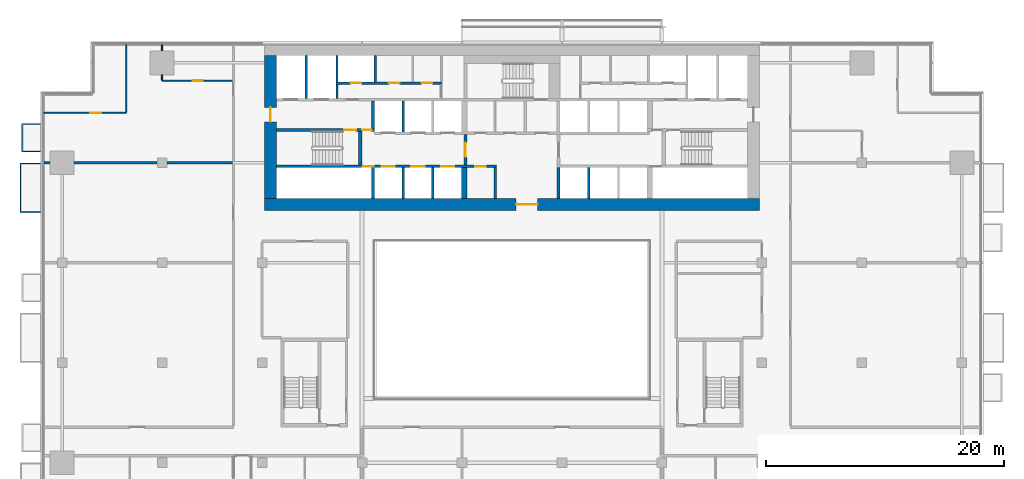
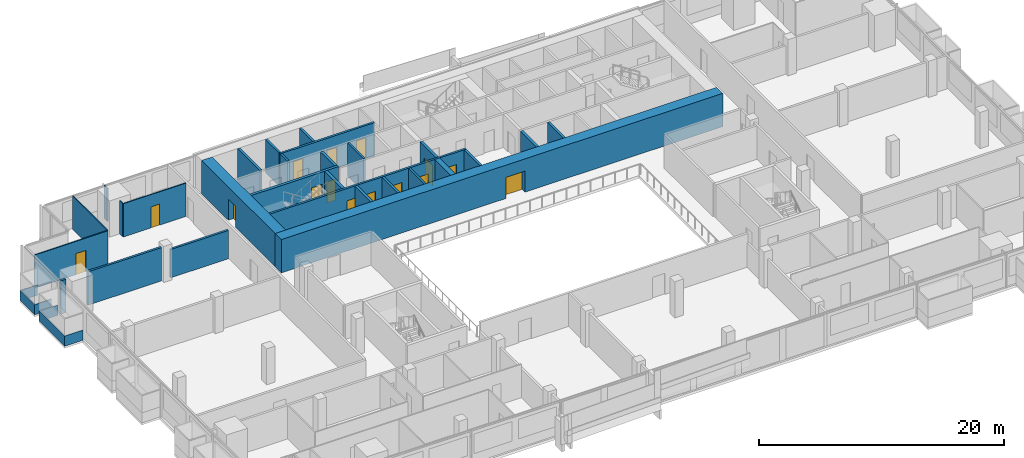
# One storey, part 20 of 26: 30 walls, 15 doors, 15 openings.
"""IFC4 building model written with IfcOpenShell, lengths in metres."""

from ifc_helpers import new_model, si_unit, direction, frame, frame_2d, origin, place, context, subcontext, project, spatial, polyline, rectangle, outline, extrude, material, layer, layer_set, type_object, element, fill, save


model = new_model("IFC4")

# Units and contexts
model_context = context("Model", 3, precision=1e-05, world=origin(), true_north=direction((0.0, 1.0)))
body_context = subcontext(model_context, "Body", "Model", "MODEL_VIEW")
ifc_project = project(units=[si_unit("LENGTHUNIT", "METRE"), si_unit("AREAUNIT", "SQUARE_METRE"), si_unit("VOLUMEUNIT", "CUBIC_METRE"), si_unit("PLANEANGLEUNIT", "RADIAN"), si_unit("MASSUNIT", "GRAM", prefix="KILO")], contexts=[model_context])

# Site, building, storey
site_placement = place(None, origin())
site = spatial("IfcSite", under=ifc_project, at=site_placement, CompositionType="ELEMENT")
building_placement = place(site_placement, origin())
building = spatial("IfcBuilding", under=site, at=building_placement, Name="Saffron Gate Tower", CompositionType="ELEMENT")
storey_placement = place(building_placement, frame((0.0, 0.0, 98.85009765625)))
storey = spatial("IfcBuildingStorey", under=building, at=storey_placement, Name="L22", CompositionType="ELEMENT", Elevation=98.85009765625)

# Wall
ifc_material_1 = material(Name="Gypsum board partition on steel studs", Category="steel")
ifc_layer_1 = layer(ifc_material_1, 0.199951171875)
ifc_layer_set_1 = layer_set([ifc_layer_1], Name="CW10 Core partition 200")
wall_type_1 = type_object("IfcWallType", Name="CW10 Core partition 200", PredefinedType="PARTITIONING", material=ifc_layer_set_1)
wall_1_placement = place(storey_placement, frame((86.199951171875, 62.39990234375, 0.0), z_axis=(0.0, 0.0, 1.0), x_axis=(0.0, 1.0, 0.0)))
element("IfcWall", 1, at=wall_1_placement, inside=storey, type_object=wall_type_1, Name="Wall CW10-L22-9", PredefinedType="PARTITIONING", context=body_context, shape_type="SweptSolid", body=[
    extrude(rectangle(XDim=2.60009765625, YDim=0.199951171875, at=frame_2d((1.300048828125, 0.0))), origin(), (0.0, 0.0, 1.0), 3.31982421875),
])

# Wall, opening, door
ifc_material_2 = material(Name="Concrete C70", Category="concrete")
ifc_layer_2 = layer(ifc_material_2, 1.0)
ifc_layer_set_2 = layer_set([ifc_layer_2], Name="CW12 RC core wall 1000 C70")
wall_type_2 = type_object("IfcWallType", Name="CW12 RC core wall 1000 C70", PredefinedType="SOLIDWALL", material=ifc_layer_set_2)
wall_2_placement = place(storey_placement, frame((66.800048828125, 61.89990234375, 0.0), z_axis=(0.0, 0.0, 1.0), x_axis=(1.0, 0.0, 0.0)))
wall_2 = element("IfcWall", 2, at=wall_2_placement, inside=storey, type_object=wall_type_2, Name="Wall CW12-L22-1", PredefinedType="SOLIDWALL", context=body_context, shape_type="SweptSolid", body=[
    extrude(rectangle(XDim=41.599853515625, YDim=1.0, at=frame_2d((20.7998046875, 0.0))), origin(), (0.0, 0.0, 1.0), 3.31982421875),
])
opening_1_placement = place(wall_2_placement, frame((21.14990234375, 0.0, 0.0)))
opening_1 = element("IfcOpeningElement", 3, at=opening_1_placement, cuts=wall_2, Name="Opening CR-09", PredefinedType="OPENING", context=body_context, shape_type="SweptSolid", body=[
    extrude(rectangle(XDim=1.800048828125, YDim=2.10009765625, at=frame_2d((0.89990234375, 1.050048828125))), frame((0.0, 0.510009765625, 0.0), z_axis=(0.0, -1.0, 0.0), x_axis=(1.0, 0.0, 0.0)), (0.0, 0.0, 1.0), 1.02001953125),
])
ifc_material_3 = material(Name="Steel fire door set", Category="steel")
door_type_1 = type_object("IfcDoorType", Name="CD1 Core entrance door 1800x2100 EI 120", OperationType="NOTDEFINED", PredefinedType="DOOR", material=ifc_material_3)
door_1_placement = place(opening_1_placement, origin())
door_1 = element("IfcDoor", 4, at=door_1_placement, inside=storey, type_object=door_type_1, Name="DOOR CR-09", OperationType="DOUBLE_DOOR_SINGLE_SWING", OverallHeight=2.10009765625, OverallWidth=1.800048828125, PredefinedType="DOOR", context=body_context, shape_type="SweptSolid", body=[
    extrude(rectangle(XDim=1.800048828125, YDim=2.10009765625, at=frame_2d((0.89990234375, 1.050048828125))), frame((0.0, 0.02490234375, 0.0), z_axis=(0.0, -1.0, 0.0), x_axis=(1.0, 0.0, 0.0)), (0.0, 0.0, 1.0), 0.050048828125),
])
fill(opening_1, door_1)

wall_3_placement = place(storey_placement, frame((67.300048828125, 62.39990234375, 0.0), z_axis=(0.0, 0.0, 1.0), x_axis=(0.0, 1.0, 0.0)))
wall_3 = element("IfcWall", 5, at=wall_3_placement, inside=storey, type_object=wall_type_2, Name="Wall CW12-L22-3", PredefinedType="SOLIDWALL", context=body_context, shape_type="SweptSolid", body=[
    extrude(rectangle(XDim=12.0, YDim=1.0, at=frame_2d((6.0, 0.0))), origin(), (0.0, 0.0, 1.0), 3.31982421875),
])
opening_2_placement = place(wall_3_placement, frame((6.449951171875, 0.0, 0.0)))
opening_2 = element("IfcOpeningElement", 6, at=opening_2_placement, cuts=wall_3, Name="Opening CR-10", PredefinedType="OPENING", context=body_context, shape_type="SweptSolid", body=[
    extrude(rectangle(XDim=1.199951171875, YDim=2.10009765625, at=frame_2d((0.60009765625, 1.050048828125))), frame((0.0, 0.510009765625, 0.0), z_axis=(0.0, -1.0, 0.0), x_axis=(1.0, 0.0, 0.0)), (0.0, 0.0, 1.0), 1.02001953125),
])
door_type_2 = type_object("IfcDoorType", Name="CD7 Core entrance door 1200x2100 EI 120", OperationType="NOTDEFINED", PredefinedType="DOOR", material=ifc_material_3)
door_2_placement = place(opening_2_placement, origin())
door_2 = element("IfcDoor", 7, at=door_2_placement, inside=storey, type_object=door_type_2, Name="DOOR CR-10", OperationType="SINGLE_SWING_LEFT", OverallHeight=2.10009765625, OverallWidth=1.199951171875, PredefinedType="DOOR", context=body_context, shape_type="SweptSolid", body=[
    extrude(rectangle(XDim=1.199951171875, YDim=2.10009765625, at=frame_2d((0.60009765625, 1.050048828125))), frame((0.0, 0.02490234375, 0.0), z_axis=(0.0, -1.0, 0.0), x_axis=(1.0, 0.0, 0.0)), (0.0, 0.0, 1.0), 0.050048828125),
])
fill(opening_2, door_2)

# Walls
ifc_layer_3 = layer(ifc_material_2, 0.25)
ifc_layer_set_3 = layer_set([ifc_layer_3], Name="CW2 RC core wall 250 C70")
wall_type_3 = type_object("IfcWallType", Name="CW2 RC core wall 250 C70", PredefinedType="SOLIDWALL", material=ifc_layer_set_3)
for number, where, z_axis, x_axis, name in (
    (8, (75.925048828125, 62.39990234375, 0.0), (0.0, 0.0, 1.0), (0.0, 1.0, 0.0), "Wall CW2-L22-5"),
    (9, (91.52490234375, 62.39990234375, 0.0), (0.0, 0.0, 1.0), (0.0, 1.0, 0.0), "Wall CW2-L22-10"),
):
    element("IfcWall", number, at=place(storey_placement, frame(where, z_axis=z_axis, x_axis=x_axis)), inside=storey, type_object=wall_type_3, Name=name, PredefinedType="SOLIDWALL", context=body_context, shape_type="SweptSolid", body=[
        extrude(rectangle(XDim=2.60009765625, YDim=0.25, at=frame_2d((1.300048828125, 0.0))), origin(), (0.0, 0.0, 1.0), 3.31982421875),
    ])

# Wall, opening, door
wall_4_placement = place(storey_placement, frame((83.675048828125, 65.199951171875, 0.0), z_axis=(0.0, 0.0, 1.0), x_axis=(0.0, 1.0, 0.0)))
wall_4 = element("IfcWall", 10, at=wall_4_placement, inside=storey, type_object=wall_type_3, Name="Wall CW2-L22-17", PredefinedType="SOLIDWALL", context=body_context, shape_type="SweptSolid", body=[
    extrude(rectangle(XDim=2.60009765625, YDim=0.25, at=frame_2d((1.300048828125, 0.0))), origin(), (0.0, 0.0, 1.0), 3.31982421875),
])
opening_3_placement = place(wall_4_placement, frame((0.699951171875, 0.0, 0.0)))
opening_3 = element("IfcOpeningElement", 11, at=opening_3_placement, cuts=wall_4, Name="Opening CR-07", PredefinedType="OPENING", context=body_context, shape_type="SweptSolid", body=[
    extrude(rectangle(XDim=1.199951171875, YDim=2.10009765625, at=frame_2d((0.60009765625, 1.050048828125))), frame((0.0, 0.135009765625, 0.0), z_axis=(0.0, -1.0, 0.0), x_axis=(1.0, 0.0, 0.0)), (0.0, 0.0, 1.0), 0.27001953125),
])
door_type_3 = type_object("IfcDoorType", Name="CD3 Lobby door 1200x2100 EI 120", OperationType="NOTDEFINED", PredefinedType="DOOR", material=ifc_material_3)
door_3_placement = place(opening_3_placement, origin())
door_3 = element("IfcDoor", 12, at=door_3_placement, inside=storey, type_object=door_type_3, Name="DOOR CR-07", OperationType="SINGLE_SWING_RIGHT", OverallHeight=2.10009765625, OverallWidth=1.199951171875, PredefinedType="DOOR", context=body_context, shape_type="SweptSolid", body=[
    extrude(rectangle(XDim=1.199951171875, YDim=2.10009765625, at=frame_2d((0.60009765625, 1.050048828125))), frame((0.0, 0.02490234375, 0.0), z_axis=(0.0, -1.0, 0.0), x_axis=(1.0, 0.0, 0.0)), (0.0, 0.0, 1.0), 0.050048828125),
])
fill(opening_3, door_3)

# Wall, openings, doors
wall_5_placement = place(storey_placement, frame((67.800048828125, 68.175048828125, 0.0), z_axis=(0.0, 0.0, 1.0), x_axis=(1.0, 0.0, 0.0)))
wall_5 = element("IfcWall", 13, at=wall_5_placement, inside=storey, type_object=wall_type_3, Name="Wall CW2-L22-30", PredefinedType="SOLIDWALL", context=body_context, shape_type="SweptSolid", body=[
    extrude(rectangle(XDim=8.25, YDim=0.25, at=frame_2d((4.125, 0.0))), origin(), (0.0, 0.0, 1.0), 3.31982421875),
])
opening_4_placement = place(wall_5_placement, frame((5.699951171875, 0.0, 0.0)))
opening_4 = element("IfcOpeningElement", 14, at=opening_4_placement, cuts=wall_5, Name="Opening CR-15", PredefinedType="OPENING", context=body_context, shape_type="SweptSolid", body=[
    extrude(rectangle(XDim=1.0, YDim=2.10009765625, at=frame_2d((0.5, 1.050048828125))), frame((0.0, 0.135009765625, 0.0), z_axis=(0.0, -1.0, 0.0), x_axis=(1.0, 0.0, 0.0)), (0.0, 0.0, 1.0), 0.27001953125),
])
opening_5_placement = place(wall_5_placement, frame((7.199951171875, 0.0, 0.0)))
opening_5 = element("IfcOpeningElement", 15, at=opening_5_placement, cuts=wall_5, Name="Opening CR-06", PredefinedType="OPENING", context=body_context, shape_type="SweptSolid", body=[
    extrude(rectangle(XDim=0.800048828125, YDim=2.10009765625, at=frame_2d((0.39990234375, 1.050048828125))), frame((0.0, 0.135009765625, 0.0), z_axis=(0.0, -1.0, 0.0), x_axis=(1.0, 0.0, 0.0)), (0.0, 0.0, 1.0), 0.27001953125),
])
door_type_4 = type_object("IfcDoorType", Name="CD5 Stair door 1000x2100 EI 120", OperationType="NOTDEFINED", PredefinedType="DOOR", material=ifc_material_3)
door_4_placement = place(opening_4_placement, origin())
door_4 = element("IfcDoor", 16, at=door_4_placement, inside=storey, type_object=door_type_4, Name="DOOR CR-15", OperationType="SINGLE_SWING_RIGHT", OverallHeight=2.10009765625, OverallWidth=1.0, PredefinedType="DOOR", context=body_context, shape_type="SweptSolid", body=[
    extrude(rectangle(XDim=1.0, YDim=2.10009765625, at=frame_2d((0.5, 1.050048828125))), frame((0.0, 0.02490234375, 0.0), z_axis=(0.0, -1.0, 0.0), x_axis=(1.0, 0.0, 0.0)), (0.0, 0.0, 1.0), 0.050048828125),
])
fill(opening_4, door_4)
door_type_5 = type_object("IfcDoorType", Name="CD6 Lobby door 800x2100 EI 120", OperationType="NOTDEFINED", PredefinedType="DOOR", material=ifc_material_3)
door_5_placement = place(opening_5_placement, origin())
door_5 = element("IfcDoor", 17, at=door_5_placement, inside=storey, type_object=door_type_5, Name="DOOR CR-06", OperationType="SINGLE_SWING_LEFT", OverallHeight=2.10009765625, OverallWidth=0.800048828125, PredefinedType="DOOR", context=body_context, shape_type="SweptSolid", body=[
    extrude(rectangle(XDim=0.800048828125, YDim=2.10009765625, at=frame_2d((0.39990234375, 1.050048828125))), frame((0.0, 0.02490234375, 0.0), z_axis=(0.0, -1.0, 0.0), x_axis=(1.0, 0.0, 0.0)), (0.0, 0.0, 1.0), 0.050048828125),
])
fill(opening_5, door_5)

# Walls
wall_6_placement = place(storey_placement, frame((75.925048828125, 68.300048828125, 0.0), z_axis=(0.0, 0.0, 1.0), x_axis=(0.0, 1.0, 0.0)))
element("IfcWall", 18, at=wall_6_placement, inside=storey, type_object=wall_type_3, Name="Wall CW2-L22-32", PredefinedType="SOLIDWALL", context=body_context, shape_type="SweptSolid", body=[
    extrude(rectangle(XDim=2.300048828125, YDim=0.25, at=frame_2d((1.14990234375, 0.0))), origin(), (0.0, 0.0, 1.0), 3.31982421875),
])
ifc_layer_4 = layer(ifc_material_2, 0.199951171875)
ifc_layer_set_4 = layer_set([ifc_layer_4], Name="CW3 RC core wall 200 C70")
wall_type_4 = type_object("IfcWallType", Name="CW3 RC core wall 200 C70", PredefinedType="SOLIDWALL", material=ifc_layer_set_4)
for number, where, z_axis, x_axis, name in (
    (19, (78.449951171875, 62.39990234375, 0.0), (0.0, 0.0, 1.0), (0.0, 1.0, 0.0), "Wall CW3-L22-6"),
    (20, (80.949951171875, 62.39990234375, 0.0), (0.0, 0.0, 1.0), (0.0, 1.0, 0.0), "Wall CW3-L22-7"),
    (21, (94.050048828125, 62.39990234375, 0.0), (0.0, 0.0, 1.0), (0.0, 1.0, 0.0), "Wall CW3-L22-11"),
):
    element("IfcWall", number, at=place(storey_placement, frame(where, z_axis=z_axis, x_axis=x_axis)), inside=storey, type_object=wall_type_4, Name=name, PredefinedType="SOLIDWALL", context=body_context, shape_type="SweptSolid", body=[
        extrude(rectangle(XDim=2.60009765625, YDim=0.199951171875, at=frame_2d((1.300048828125, 0.0))), origin(), (0.0, 0.0, 1.0), 3.31982421875),
    ])

# Wall, openings, doors
wall_7_placement = place(storey_placement, frame((67.800048828125, 65.10009765625, 0.0), z_axis=(0.0, 0.0, 1.0), x_axis=(1.0, 0.0, 0.0)))
wall_7 = element("IfcWall", 22, at=wall_7_placement, inside=storey, type_object=wall_type_4, Name="Wall CW3-L22-14", PredefinedType="SOLIDWALL", context=body_context, shape_type="SweptSolid", body=[
    extrude(rectangle(XDim=18.5, YDim=0.199951171875, at=frame_2d((9.25, 0.0))), origin(), (0.0, 0.0, 1.0), 3.31982421875),
])
opening_6_placement = place(wall_7_placement, frame((7.27001953125, 0.0, 0.0)))
opening_6 = element("IfcOpeningElement", 23, at=opening_6_placement, cuts=wall_7, Name="Opening CR-49", PredefinedType="OPENING", context=body_context, shape_type="SweptSolid", body=[
    extrude(rectangle(XDim=0.89990234375, YDim=2.10009765625, at=frame_2d((0.449951171875, 1.050048828125))), frame((0.0, 0.10986328125, 0.0), z_axis=(0.0, -1.0, 0.0), x_axis=(1.0, 0.0, 0.0)), (0.0, 0.0, 1.0), 0.219970703125),
])
opening_7_placement = place(wall_7_placement, frame((8.85009765625, 0.0, 0.0)))
opening_7 = element("IfcOpeningElement", 24, at=opening_7_placement, cuts=wall_7, Name="Opening LD-LR1", PredefinedType="OPENING", context=body_context, shape_type="SweptSolid", body=[
    extrude(rectangle(XDim=1.10009765625, YDim=2.10009765625, at=frame_2d((0.550048828125, 1.050048828125))), frame((0.0, 0.10986328125, 0.0), z_axis=(0.0, -1.0, 0.0), x_axis=(1.0, 0.0, 0.0)), (0.0, 0.0, 1.0), 0.219970703125),
])
opening_8_placement = place(wall_7_placement, frame((11.35009765625, 0.0, 0.0)))
opening_8 = element("IfcOpeningElement", 25, at=opening_8_placement, cuts=wall_7, Name="Opening LD-LR2", PredefinedType="OPENING", context=body_context, shape_type="SweptSolid", body=[
    extrude(rectangle(XDim=1.10009765625, YDim=2.10009765625, at=frame_2d((0.550048828125, 1.050048828125))), frame((0.0, 0.10986328125, 0.0), z_axis=(0.0, -1.0, 0.0), x_axis=(1.0, 0.0, 0.0)), (0.0, 0.0, 1.0), 0.219970703125),
])
opening_9_placement = place(wall_7_placement, frame((13.85009765625, 0.0, 0.0)))
opening_9 = element("IfcOpeningElement", 26, at=opening_9_placement, cuts=wall_7, Name="Opening LD-LR3", PredefinedType="OPENING", context=body_context, shape_type="SweptSolid", body=[
    extrude(rectangle(XDim=1.10009765625, YDim=2.10009765625, at=frame_2d((0.550048828125, 1.050048828125))), frame((0.0, 0.10986328125, 0.0), z_axis=(0.0, -1.0, 0.0), x_axis=(1.0, 0.0, 0.0)), (0.0, 0.0, 1.0), 0.219970703125),
])
opening_10_placement = place(wall_7_placement, frame((16.699951171875, 0.0, 0.0)))
opening_10 = element("IfcOpeningElement", 27, at=opening_10_placement, cuts=wall_7, Name="Opening CR-69", PredefinedType="OPENING", context=body_context, shape_type="SweptSolid", body=[
    extrude(rectangle(XDim=0.89990234375, YDim=2.10009765625, at=frame_2d((0.449951171875, 1.050048828125))), frame((0.0, 0.10986328125, 0.0), z_axis=(0.0, -1.0, 0.0), x_axis=(1.0, 0.0, 0.0)), (0.0, 0.0, 1.0), 0.219970703125),
])
door_type_6 = type_object("IfcDoorType", Name="CD2 Riser door 900x2100 EI 60", OperationType="NOTDEFINED", PredefinedType="DOOR", material=ifc_material_3)
door_6_placement = place(opening_6_placement, origin())
door_6 = element("IfcDoor", 28, at=door_6_placement, inside=storey, type_object=door_type_6, Name="DOOR CR-49", OperationType="SINGLE_SWING_LEFT", OverallHeight=2.10009765625, OverallWidth=0.89990234375, PredefinedType="DOOR", context=body_context, shape_type="SweptSolid", body=[
    extrude(rectangle(XDim=0.89990234375, YDim=2.10009765625, at=frame_2d((0.449951171875, 1.050048828125))), frame((0.0, 0.02490234375, 0.0), z_axis=(0.0, -1.0, 0.0), x_axis=(1.0, 0.0, 0.0)), (0.0, 0.0, 1.0), 0.050048828125),
])
fill(opening_6, door_6)
door_type_7 = type_object("IfcDoorType", Name="CD9 Room door 900x2100 EI 60", OperationType="NOTDEFINED", PredefinedType="DOOR", material=ifc_material_3)
door_7_placement = place(opening_10_placement, origin())
door_7 = element("IfcDoor", 29, at=door_7_placement, inside=storey, type_object=door_type_7, Name="DOOR CR-69", OperationType="SINGLE_SWING_RIGHT", OverallHeight=2.10009765625, OverallWidth=0.89990234375, PredefinedType="DOOR", context=body_context, shape_type="SweptSolid", body=[
    extrude(rectangle(XDim=0.89990234375, YDim=2.10009765625, at=frame_2d((0.449951171875, 1.050048828125))), frame((0.0, 0.02490234375, 0.0), z_axis=(0.0, -1.0, 0.0), x_axis=(1.0, 0.0, 0.0)), (0.0, 0.0, 1.0), 0.050048828125),
])
fill(opening_10, door_7)
ifc_material_4 = material(Name="Stainless steel landing door", Category="steel")
door_type_8 = type_object("IfcDoorType", Name="LD Lift landing door 1100x2100 EI 120", OperationType="SLIDING_TO_LEFT", PredefinedType="DOOR", material=ifc_material_4)
door_8_placement = place(opening_7_placement, origin())
door_8 = element("IfcDoor", 30, at=door_8_placement, inside=storey, type_object=door_type_8, Name="LANDING DOOR LD-LR1", OperationType="SLIDING_TO_LEFT", OverallHeight=2.10009765625, OverallWidth=1.10009765625, PredefinedType="DOOR", context=body_context, shape_type="SweptSolid", body=[
    extrude(rectangle(XDim=1.10009765625, YDim=2.10009765625, at=frame_2d((0.550048828125, 1.050048828125))), frame((0.0, 0.02490234375, 0.0), z_axis=(0.0, -1.0, 0.0), x_axis=(1.0, 0.0, 0.0)), (0.0, 0.0, 1.0), 0.050048828125),
])
fill(opening_7, door_8)
door_9_placement = place(opening_8_placement, origin())
door_9 = element("IfcDoor", 31, at=door_9_placement, inside=storey, type_object=door_type_8, Name="LANDING DOOR LD-LR2", OperationType="SLIDING_TO_LEFT", OverallHeight=2.10009765625, OverallWidth=1.10009765625, PredefinedType="DOOR", context=body_context, shape_type="SweptSolid", body=[
    extrude(rectangle(XDim=1.10009765625, YDim=2.10009765625, at=frame_2d((0.550048828125, 1.050048828125))), frame((0.0, 0.02490234375, 0.0), z_axis=(0.0, -1.0, 0.0), x_axis=(1.0, 0.0, 0.0)), (0.0, 0.0, 1.0), 0.050048828125),
])
fill(opening_8, door_9)
door_10_placement = place(opening_9_placement, origin())
door_10 = element("IfcDoor", 32, at=door_10_placement, inside=storey, type_object=door_type_8, Name="LANDING DOOR LD-LR3", OperationType="SLIDING_TO_LEFT", OverallHeight=2.10009765625, OverallWidth=1.10009765625, PredefinedType="DOOR", context=body_context, shape_type="SweptSolid", body=[
    extrude(rectangle(XDim=1.10009765625, YDim=2.10009765625, at=frame_2d((0.550048828125, 1.050048828125))), frame((0.0, 0.02490234375, 0.0), z_axis=(0.0, -1.0, 0.0), x_axis=(1.0, 0.0, 0.0)), (0.0, 0.0, 1.0), 0.050048828125),
])
fill(opening_9, door_10)

# Walls
wall_8_placement = place(storey_placement, frame((78.449951171875, 68.0, 0.0), z_axis=(0.0, 0.0, 1.0), x_axis=(0.0, 1.0, 0.0)))
element("IfcWall", 33, at=wall_8_placement, inside=storey, type_object=wall_type_4, Name="Wall CW3-L22-21", PredefinedType="SOLIDWALL", context=body_context, shape_type="SweptSolid", body=[
    extrude(rectangle(XDim=2.60009765625, YDim=0.199951171875, at=frame_2d((1.300048828125, 0.0))), origin(), (0.0, 0.0, 1.0), 3.31982421875),
])
wall_9_placement = place(storey_placement, frame((70.300048828125, 70.800048828125, 0.0), z_axis=(0.0, 0.0, 1.0), x_axis=(0.0, 1.0, 0.0)))
element("IfcWall", 34, at=wall_9_placement, inside=storey, type_object=wall_type_4, Name="Wall CW3-L22-35", PredefinedType="SOLIDWALL", context=body_context, shape_type="SweptSolid", body=[
    extrude(rectangle(XDim=3.599853515625, YDim=0.199951171875, at=frame_2d((1.7998046875, 0.0))), origin(), (0.0, 0.0, 1.0), 3.31982421875),
])
wall_10_placement = place(storey_placement, frame((72.89990234375, 70.800048828125, 0.0), z_axis=(0.0, 0.0, 1.0), x_axis=(0.0, 1.0, 0.0)))
element("IfcWall", 35, at=wall_10_placement, inside=storey, type_object=wall_type_4, Name="Wall CW3-L22-36", PredefinedType="SOLIDWALL", context=body_context, shape_type="SweptSolid", body=[
    extrude(rectangle(XDim=1.199951171875, YDim=0.199951171875, at=frame_2d((0.60009765625, 0.0))), origin(), (0.0, 0.0, 1.0), 3.31982421875),
])

# Wall, openings, doors
wall_11_placement = place(storey_placement, frame((72.800048828125, 72.10009765625, 0.0), z_axis=(0.0, 0.0, 1.0), x_axis=(1.0, 0.0, 0.0)))
wall_11 = element("IfcWall", 36, at=wall_11_placement, inside=storey, type_object=wall_type_4, Name="Wall CW3-L22-43", PredefinedType="SOLIDWALL", context=body_context, shape_type="SweptSolid", body=[
    extrude(rectangle(XDim=8.919921875, YDim=0.199951171875, at=frame_2d((4.4599609375, 0.0))), origin(), (0.0, 0.0, 1.0), 3.31982421875),
])
opening_11_placement = place(wall_11_placement, frame((1.25, 0.0, 0.0)))
opening_11 = element("IfcOpeningElement", 37, at=opening_11_placement, cuts=wall_11, Name="Opening CR-71", PredefinedType="OPENING", context=body_context, shape_type="SweptSolid", body=[
    extrude(rectangle(XDim=0.89990234375, YDim=2.10009765625, at=frame_2d((0.449951171875, 1.050048828125))), frame((0.0, 0.10986328125, 0.0), z_axis=(0.0, -1.0, 0.0), x_axis=(1.0, 0.0, 0.0)), (0.0, 0.0, 1.0), 0.219970703125),
])
opening_12_placement = place(wall_11_placement, frame((4.449951171875, 0.0, 0.0)))
opening_12 = element("IfcOpeningElement", 38, at=opening_12_placement, cuts=wall_11, Name="Opening CR-55", PredefinedType="OPENING", context=body_context, shape_type="SweptSolid", body=[
    extrude(rectangle(XDim=0.89990234375, YDim=2.10009765625, at=frame_2d((0.449951171875, 1.050048828125))), frame((0.0, 0.10986328125, 0.0), z_axis=(0.0, -1.0, 0.0), x_axis=(1.0, 0.0, 0.0)), (0.0, 0.0, 1.0), 0.219970703125),
])
opening_13_placement = place(wall_11_placement, frame((7.2099609375, 0.0, 0.0)))
opening_13 = element("IfcOpeningElement", 39, at=opening_13_placement, cuts=wall_11, Name="Opening CR-58", PredefinedType="OPENING", context=body_context, shape_type="SweptSolid", body=[
    extrude(rectangle(XDim=0.89990234375, YDim=2.10009765625, at=frame_2d((0.449951171875, 1.050048828125))), frame((0.0, 0.10986328125, 0.0), z_axis=(0.0, -1.0, 0.0), x_axis=(1.0, 0.0, 0.0)), (0.0, 0.0, 1.0), 0.219970703125),
])
door_11_placement = place(opening_11_placement, origin())
door_11 = element("IfcDoor", 40, at=door_11_placement, inside=storey, type_object=door_type_6, Name="DOOR CR-71", OperationType="SINGLE_SWING_LEFT", OverallHeight=2.10009765625, OverallWidth=0.89990234375, PredefinedType="DOOR", context=body_context, shape_type="SweptSolid", body=[
    extrude(rectangle(XDim=0.89990234375, YDim=2.10009765625, at=frame_2d((0.449951171875, 1.050048828125))), frame((0.0, 0.02490234375, 0.0), z_axis=(0.0, -1.0, 0.0), x_axis=(1.0, 0.0, 0.0)), (0.0, 0.0, 1.0), 0.050048828125),
])
fill(opening_11, door_11)
door_12_placement = place(opening_12_placement, origin())
door_12 = element("IfcDoor", 41, at=door_12_placement, inside=storey, type_object=door_type_7, Name="DOOR CR-55", OperationType="SINGLE_SWING_LEFT", OverallHeight=2.10009765625, OverallWidth=0.89990234375, PredefinedType="DOOR", context=body_context, shape_type="SweptSolid", body=[
    extrude(rectangle(XDim=0.89990234375, YDim=2.10009765625, at=frame_2d((0.449951171875, 1.050048828125))), frame((0.0, 0.02490234375, 0.0), z_axis=(0.0, -1.0, 0.0), x_axis=(1.0, 0.0, 0.0)), (0.0, 0.0, 1.0), 0.050048828125),
])
fill(opening_12, door_12)
door_13_placement = place(opening_13_placement, origin())
door_13 = element("IfcDoor", 42, at=door_13_placement, inside=storey, type_object=door_type_7, Name="DOOR CR-58", OperationType="SINGLE_SWING_LEFT", OverallHeight=2.10009765625, OverallWidth=0.89990234375, PredefinedType="DOOR", context=body_context, shape_type="SweptSolid", body=[
    extrude(rectangle(XDim=0.89990234375, YDim=2.10009765625, at=frame_2d((0.449951171875, 1.050048828125))), frame((0.0, 0.02490234375, 0.0), z_axis=(0.0, -1.0, 0.0), x_axis=(1.0, 0.0, 0.0)), (0.0, 0.0, 1.0), 0.050048828125),
])
fill(opening_13, door_13)

# Walls
for number, where, z_axis, x_axis, name in (
    (43, (72.89990234375, 72.199951171875, 0.0), (0.0, 0.0, 1.0), (0.0, 1.0, 0.0), "Wall CW3-L22-45"),
    (44, (76.10009765625, 72.199951171875, 0.0), (0.0, 0.0, 1.0), (0.0, 1.0, 0.0), "Wall CW3-L22-46"),
):
    element("IfcWall", number, at=place(storey_placement, frame(where, z_axis=z_axis, x_axis=x_axis)), inside=storey, type_object=wall_type_4, Name=name, PredefinedType="SOLIDWALL", context=body_context, shape_type="SweptSolid", body=[
        extrude(rectangle(XDim=2.199951171875, YDim=0.199951171875, at=frame_2d((1.10009765625, 0.0))), origin(), (0.0, 0.0, 1.0), 3.31982421875),
    ])
ifc_layer_5 = layer(ifc_material_2, 0.449951171875)
ifc_layer_set_5 = layer_set([ifc_layer_5], Name="CW4 RC core wall 450 C70")
wall_type_5 = type_object("IfcWallType", Name="CW4 RC core wall 450 C70", PredefinedType="SOLIDWALL", material=ifc_layer_set_5)
wall_12_placement = place(storey_placement, frame((83.574951171875, 62.39990234375, 0.0), z_axis=(0.0, 0.0, 1.0), x_axis=(0.0, 1.0, 0.0)))
element("IfcWall", 45, at=wall_12_placement, inside=storey, type_object=wall_type_5, Name="Wall CW4-L22-8", PredefinedType="SOLIDWALL", context=body_context, shape_type="SweptSolid", body=[
    extrude(rectangle(XDim=2.60009765625, YDim=0.449951171875, at=frame_2d((1.300048828125, 0.0))), origin(), (0.0, 0.0, 1.0), 3.31982421875),
])
ifc_layer_6 = layer(ifc_material_2, 0.300048828125)
ifc_layer_set_6 = layer_set([ifc_layer_6], Name="CW5 RC core wall 300 C70")
wall_type_6 = type_object("IfcWallType", Name="CW5 RC core wall 300 C70", PredefinedType="SOLIDWALL", material=ifc_layer_set_6)
wall_13_placement = place(storey_placement, frame((74.85009765625, 65.199951171875, 0.0), z_axis=(0.0, 0.0, 1.0), x_axis=(0.0, 1.0, 0.0)))
element("IfcWall", 46, at=wall_13_placement, inside=storey, type_object=wall_type_6, Name="Wall CW5-L22-16", PredefinedType="SOLIDWALL", context=body_context, shape_type="SweptSolid", body=[
    extrude(rectangle(XDim=2.85009765625, YDim=0.300048828125, at=frame_2d((1.425048828125, 0.0))), origin(), (0.0, 0.0, 1.0), 3.31982421875),
])

# Wall, opening, door
ifc_material_5 = material(Name="Plasterboard on steel studs", Category="steel")
ifc_layer_7 = layer(ifc_material_5, 0.10009765625)
ifc_layer_set_7 = layer_set([ifc_layer_7], Name="PW1 Partition 100")
wall_type_7 = type_object("IfcWallType", Name="PW1 Partition 100", PredefinedType="PARTITIONING", material=ifc_layer_set_7)
wall_14_placement = place(storey_placement, frame((48.280029296875, 69.60009765625, 0.0), z_axis=(0.0, 0.0, 1.0), x_axis=(1.0, 0.0, 0.0)))
wall_14 = element("IfcWall", 47, at=wall_14_placement, inside=storey, type_object=wall_type_7, Name="Partition B1-33", PredefinedType="PARTITIONING", context=body_context, shape_type="SweptSolid", body=[
    extrude(rectangle(XDim=6.919921875, YDim=0.10009765625, at=frame_2d((3.4599609375, 0.0))), origin(), (0.0, 0.0, 1.0), 3.31982421875),
])
opening_14_placement = place(wall_14_placement, frame((3.9052734375, 0.0, 0.0)))
opening_14 = element("IfcOpeningElement", 48, at=opening_14_placement, cuts=wall_14, Name="Opening B1-13", PredefinedType="OPENING", context=body_context, shape_type="SweptSolid", body=[
    extrude(rectangle(XDim=0.89990234375, YDim=2.10009765625, at=frame_2d((0.449951171875, 1.050048828125))), frame((0.0, 0.06005859375, 0.0), z_axis=(0.0, -1.0, 0.0), x_axis=(1.0, 0.0, 0.0)), (0.0, 0.0, 1.0), 0.1201171875),
])
ifc_material_6 = material(Name="Timber door set", Category="wood")
door_type_9 = type_object("IfcDoorType", Name="RD1 Room door 900x2100", OperationType="NOTDEFINED", PredefinedType="DOOR", material=ifc_material_6)
door_14_placement = place(opening_14_placement, origin())
door_14 = element("IfcDoor", 49, at=door_14_placement, inside=storey, type_object=door_type_9, Name="Door B1-13", OperationType="SINGLE_SWING_RIGHT", OverallHeight=2.10009765625, OverallWidth=0.89990234375, PredefinedType="DOOR", context=body_context, shape_type="SweptSolid", body=[
    extrude(rectangle(XDim=0.89990234375, YDim=2.10009765625, at=frame_2d((0.449951171875, 1.050048828125))), frame((0.0, 0.02490234375, 0.0), z_axis=(0.0, -1.0, 0.0), x_axis=(1.0, 0.0, 0.0)), (0.0, 0.0, 1.0), 0.050048828125),
])
fill(opening_14, door_14)

wall_15_placement = place(storey_placement, frame((58.199951171875, 72.300048828125, 0.0), z_axis=(0.0, 0.0, 1.0), x_axis=(1.0, 0.0, 0.0)))
wall_15 = element("IfcWall", 50, at=wall_15_placement, inside=storey, type_object=wall_type_7, Name="Partition B1-35", PredefinedType="PARTITIONING", context=body_context, shape_type="SweptSolid", body=[
    extrude(rectangle(XDim=5.900146484375, YDim=0.10009765625, at=frame_2d((2.9501953125, 0.0))), origin(), (0.0, 0.0, 1.0), 3.31982421875),
])
opening_15_placement = place(wall_15_placement, frame((2.60009765625, 0.0, 0.0)))
opening_15 = element("IfcOpeningElement", 51, at=opening_15_placement, cuts=wall_15, Name="Opening B1-20", PredefinedType="OPENING", context=body_context, shape_type="SweptSolid", body=[
    extrude(rectangle(XDim=0.800048828125, YDim=2.10009765625, at=frame_2d((0.39990234375, 1.050048828125))), frame((0.0, 0.06005859375, 0.0), z_axis=(0.0, -1.0, 0.0), x_axis=(1.0, 0.0, 0.0)), (0.0, 0.0, 1.0), 0.1201171875),
])
door_type_10 = type_object("IfcDoorType", Name="RD2 Bathroom door 800x2100", OperationType="NOTDEFINED", PredefinedType="DOOR", material=ifc_material_6)
door_15_placement = place(opening_15_placement, origin())
door_15 = element("IfcDoor", 52, at=door_15_placement, inside=storey, type_object=door_type_10, Name="Door B1-20", OperationType="SINGLE_SWING_RIGHT", OverallHeight=2.10009765625, OverallWidth=0.800048828125, PredefinedType="DOOR", context=body_context, shape_type="SweptSolid", body=[
    extrude(rectangle(XDim=0.800048828125, YDim=2.10009765625, at=frame_2d((0.39990234375, 1.050048828125))), frame((0.0, 0.02490234375, 0.0), z_axis=(0.0, -1.0, 0.0), x_axis=(1.0, 0.0, 0.0)), (0.0, 0.0, 1.0), 0.050048828125),
])
fill(opening_15, door_15)

# Walls
wall_16_placement = place(storey_placement, frame((55.199951171875, 75.320068359375, 0.0), z_axis=(0.0, 0.0, 1.0), x_axis=(0.0, -1.0, 0.0)))
element("IfcWall", 53, at=wall_16_placement, inside=storey, type_object=wall_type_7, Name="Partition B1-37", PredefinedType="PARTITIONING", context=body_context, shape_type="SweptSolid", body=[
    extrude(rectangle(XDim=5.670166015625, YDim=0.10009765625, at=frame_2d((2.8349609375, 0.0))), origin(), (0.0, 0.0, 1.0), 3.31982421875),
])
wall_17_placement = place(storey_placement, frame((58.199951171875, 72.780029296875, 0.0), z_axis=(0.0, 0.0, 1.0), x_axis=(0.0, -1.0, 0.0)))
element("IfcWall", 54, at=wall_17_placement, inside=storey, type_object=wall_type_7, Name="Partition B1-39", PredefinedType="PARTITIONING", context=body_context, shape_type="SweptSolid", body=[
    extrude(rectangle(XDim=0.429931640625, YDim=0.10009765625, at=frame_2d((0.21484375, 0.0))), origin(), (0.0, 0.0, 1.0), 3.31982421875),
])
wall_18_placement = place(storey_placement, frame((58.199951171875, 75.320068359375, 0.0), z_axis=(0.0, 0.0, 1.0), x_axis=(0.0, -1.0, 0.0)))
element("IfcWall", 55, at=wall_18_placement, inside=storey, type_object=wall_type_7, Name="Partition B1-40", PredefinedType="PARTITIONING", context=body_context, shape_type="SweptSolid", body=[
    extrude(rectangle(XDim=0.5, YDim=0.10009765625, at=frame_2d((0.25, 0.0))), origin(), (0.0, 0.0, 1.0), 3.31982421875),
])
ifc_material_7 = material(Name="Clay brick masonry, rendered", Category="masonry")
ifc_layer_8 = layer(ifc_material_7, 0.199951171875)
ifc_layer_set_8 = layer_set([ifc_layer_8], Name="PW5 Room wall 200")
wall_type_8 = type_object("IfcWallType", Name="PW5 Room wall 200", PredefinedType="PARTITIONING", material=ifc_layer_set_8)
wall_19_placement = place(storey_placement, frame((48.280029296875, 65.39990234375, 0.0), z_axis=(0.0, 0.0, 1.0), x_axis=(1.0, 0.0, 0.0)))
element("IfcWall", 56, at=wall_19_placement, inside=storey, type_object=wall_type_8, Name="Wall B1-26", PredefinedType="PARTITIONING", context=body_context, shape_type="SweptSolid", body=[
    extrude(rectangle(XDim=0.5, YDim=0.199951171875, at=frame_2d((0.25, 0.0))), origin(), (0.0, 0.0, 1.0), 3.31982421875),
])
wall_20_placement = place(storey_placement, frame((50.820068359375, 65.39990234375, 0.0), z_axis=(0.0, 0.0, 1.0), x_axis=(1.0, 0.0, 0.0)))
element("IfcWall", 57, at=wall_20_placement, inside=storey, type_object=wall_type_8, Name="Wall B1-27", PredefinedType="PARTITIONING", context=body_context, shape_type="SweptSolid", body=[
    extrude(rectangle(XDim=6.9599609375, YDim=0.199951171875, at=frame_2d((3.47998046875, 0.0))), origin(), (0.0, 0.0, 1.0), 3.31982421875),
])
wall_21_placement = place(storey_placement, frame((58.6201171875, 65.39990234375, 0.0), z_axis=(0.0, 0.0, 1.0), x_axis=(1.0, 0.0, 0.0)))
element("IfcWall", 58, at=wall_21_placement, inside=storey, type_object=wall_type_8, Name="Wall B1-28", PredefinedType="PARTITIONING", context=body_context, shape_type="SweptSolid", body=[
    extrude(rectangle(XDim=5.47998046875, YDim=0.199951171875, at=frame_2d((2.739990234375, 0.0))), origin(), (0.0, 0.0, 1.0), 2.81982421875),
])
ifc_material_8 = material(Name="Rendered insulated panel, white")
ifc_layer_9 = layer(ifc_material_8, 0.10009765625)
ifc_layer_set_9 = layer_set([ifc_layer_9], Name="WB3 box parapet white")
wall_type_9 = type_object("IfcWallType", Name="WB3 box parapet white", PredefinedType="SOLIDWALL", material=ifc_layer_set_9)
wall_22_placement = place(storey_placement, origin())
element("IfcWall", 59, at=wall_22_placement, inside=storey, type_object=wall_type_9, Name="WINDOW BOX parapet", PredefinedType="SOLIDWALL", context=body_context, shape_type="SweptSolid", body=[
    extrude(outline(polyline([(48.0, 68.699951171875), (48.0, 68.60009765625), (46.5, 68.60009765625), (46.5, 66.39990234375), (48.0, 66.39990234375), (48.0, 66.300048828125), (46.39990234375, 66.300048828125), (46.39990234375, 68.699951171875), (48.0, 68.699951171875)])), origin(), (0.0, 0.0, 1.0), 1.0),
])
wall_23_placement = place(storey_placement, origin())
element("IfcWall", 60, at=wall_23_placement, inside=storey, type_object=wall_type_9, Name="WINDOW BOX parapet", PredefinedType="SOLIDWALL", context=body_context, shape_type="SweptSolid", body=[
    extrude(outline(polyline([(48.0, 65.39990234375), (48.0, 65.300048828125), (46.366943359375, 65.300048828125), (46.366943359375, 61.300048828125), (48.0, 61.300048828125), (48.0, 61.199951171875), (46.26708984375, 61.199951171875), (46.26708984375, 65.39990234375), (48.0, 65.39990234375)])), origin(), (0.0, 0.0, 1.0), 1.0),
])

save(model, "model.ifc")
